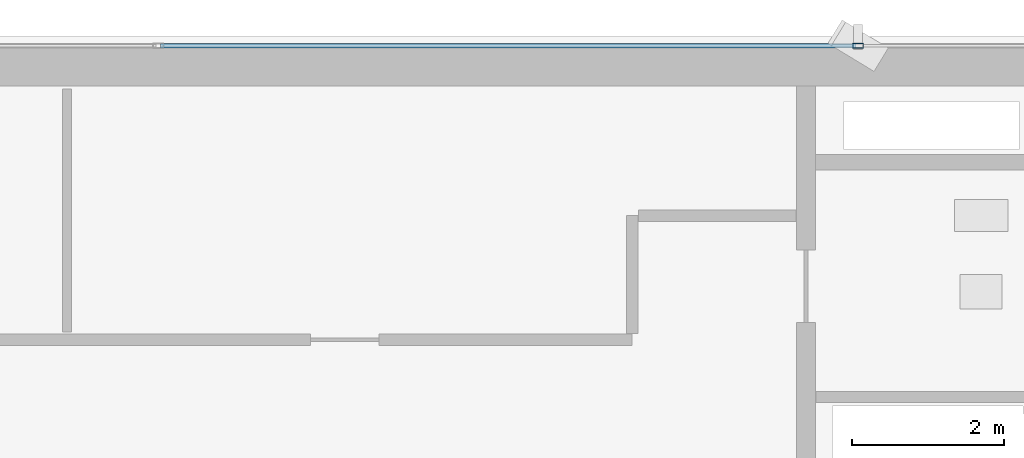
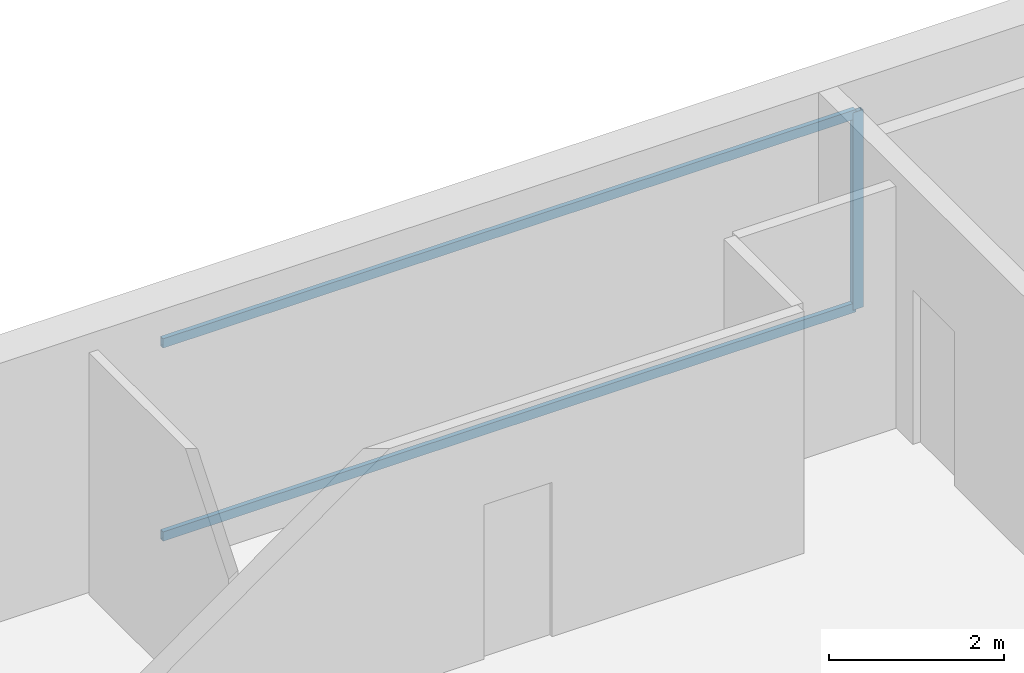
# One storey, part 17 of 26: 3 members, 1 element without a shape of its own.
"""IFC4 building model written with IfcOpenShell, lengths in metres."""

from ifc_helpers import new_model, si_unit, direction, frame, origin, origin_2d, place, context, subcontext, project, spatial, hollow_rectangle, extrude, source, transform, mapped, material, layer, layer_set, material_profile, profile_set, type_object, element, aggregate, save


model = new_model("IFC4")

# Units and contexts
model_context = context("Model", 3, precision=1e-05, world=origin(), true_north=direction((0.0, 1.0)))
body_context = subcontext(model_context, "Body", "Model", "MODEL_VIEW")
ifc_project = project(units=[si_unit("LENGTHUNIT", "METRE"), si_unit("AREAUNIT", "SQUARE_METRE"), si_unit("VOLUMEUNIT", "CUBIC_METRE"), si_unit("PLANEANGLEUNIT", "RADIAN"), si_unit("MASSUNIT", "GRAM", prefix="KILO")], contexts=[model_context])

# Site, building, storey
site_placement = place(None, origin())
site = spatial("IfcSite", under=ifc_project, at=site_placement, CompositionType="ELEMENT")
building_placement = place(site_placement, origin())
building = spatial("IfcBuilding", under=site, at=building_placement, Name="Sumidabori Civic Tower", CompositionType="ELEMENT")
storey_placement = place(building_placement, frame((0.0, 0.0, 264.800048828125)))
storey = spatial("IfcBuildingStorey", under=building, at=storey_placement, Name="L69", CompositionType="ELEMENT", Elevation=264.800048828125)

# Curtain wall, members
ifc_material = material(Name="Anodised Bronze Aluminium AW-6063-T6", Category="aluminium")
ifc_layer = layer(ifc_material, 0.179931640625, Name="Anodised Bronze Aluminium AW-6063-T6")
ifc_layer_set = layer_set([ifc_layer], Name="Anodised Bronze Aluminium AW-6063-T6")
curtain_wall_type = type_object("IfcCurtainWallType", Name="CW-SYS-5", PredefinedType="NOTDEFINED", material=ifc_layer_set)
curtain_wall_placement = place(storey_placement, origin())
curtain_wall = element("IfcCurtainWall", 1, at=curtain_wall_placement, inside=storey, type_object=curtain_wall_type, Name="Curtain Wall CW:L69:R07", PredefinedType="NOTDEFINED")
ifc_material_profile_1 = material_profile(ifc_material, hollow_rectangle(XDim=0.06005859375, YDim=0.1298828125, WallThickness=0.0048828125, at=origin_2d()), Name="ALU TRANSOM 130x60")
ifc_profile_set_1 = profile_set([ifc_material_profile_1], Name="Anodised Bronze Aluminium AW-6063-T6")
member_type_1 = type_object("IfcMemberType", Name="CW-TRN-130", PredefinedType="USERDEFINED", material=ifc_profile_set_1)
shared_shape_1 = source(origin(), body_context, "Body", "SweptSolid", [
    extrude(hollow_rectangle(XDim=0.06005859375, YDim=0.1298828125, WallThickness=0.0048828125, at=origin_2d()), origin(), (0.0, 0.0, 1.0), 9.125),
])
member_1_placement = place(storey_placement, frame((9.155029296875, 24.080078125, 0.030029296875), z_axis=(-1.0, 0.0, 0.0), x_axis=(0.0, -1.0, 0.0)))
member_1 = element("IfcMember", 2, at=member_1_placement, type_object=member_type_1, Name="CW-5 transom 2.1", ObjectType="TRANSOM", PredefinedType="USERDEFINED", context=body_context, shape_type="MappedRepresentation", body=[
    mapped(shared_shape_1, transform((0.0, 0.0, 0.0), x_axis=(1.0, 0.0, 0.0), y_axis=(0.0, 1.0, 0.0), z_axis=(0.0, 0.0, 1.0), scale=1.0)),
])
member_2_placement = place(storey_placement, frame((9.155029296875, 24.080078125, 2.719970703125), z_axis=(-1.0, 0.0, 0.0), x_axis=(0.0, -1.0, 0.0)))
member_2 = element("IfcMember", 3, at=member_2_placement, type_object=member_type_1, Name="CW-5 transom 2.2", ObjectType="TRANSOM", PredefinedType="USERDEFINED", context=body_context, shape_type="MappedRepresentation", body=[
    mapped(shared_shape_1, transform((0.0, 0.0, 0.0), x_axis=(1.0, 0.0, 0.0), y_axis=(0.0, 1.0, 0.0), z_axis=(0.0, 0.0, 1.0), scale=1.0)),
])
ifc_material_profile_2 = material_profile(ifc_material, hollow_rectangle(XDim=0.06005859375, YDim=0.139892578125, WallThickness=0.0048828125, at=origin_2d()), Name="ALU MULLION 140x60")
ifc_profile_set_2 = profile_set([ifc_material_profile_2], Name="Anodised Bronze Aluminium AW-6063-T6")
member_type_2 = type_object("IfcMemberType", Name="CW-MUL-140", PredefinedType="MULLION", material=ifc_profile_set_2)
shared_shape_2 = source(origin(), body_context, "Body", "SweptSolid", [
    extrude(hollow_rectangle(XDim=0.06005859375, YDim=0.139892578125, WallThickness=0.0048828125, at=origin_2d()), origin(), (0.0, 0.0, 1.0), 2.75),
])
member_3_placement = place(storey_placement, frame((9.18505859375, 24.080078125, 0.0), z_axis=(0.0, 0.0, 1.0), x_axis=(0.0, -1.0, 0.0)))
member_3 = element("IfcMember", 4, at=member_3_placement, type_object=member_type_2, Name="CW-5 mullion 2", PredefinedType="MULLION", context=body_context, shape_type="MappedRepresentation", body=[
    mapped(shared_shape_2, transform((0.0, 0.0, 0.0), x_axis=(1.0, 0.0, 0.0), y_axis=(0.0, 1.0, 0.0), z_axis=(0.0, 0.0, 1.0), scale=1.0)),
])
aggregate(curtain_wall, [member_3, member_1, member_2])

save(model, "model.ifc")
